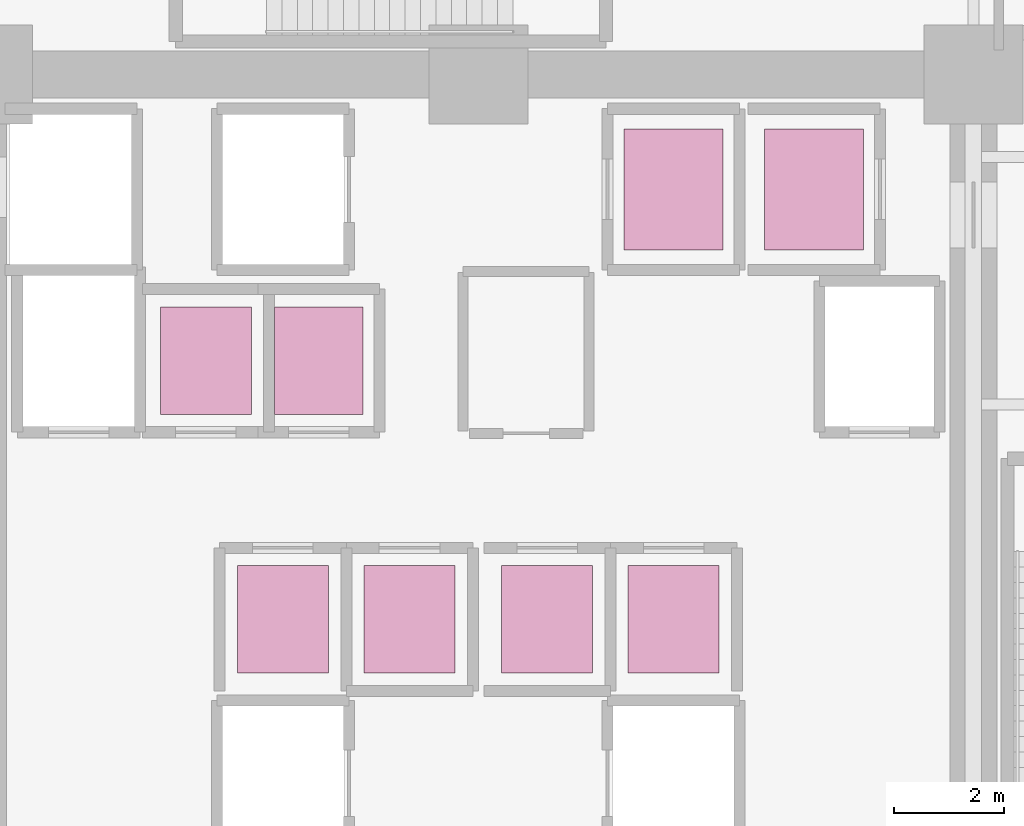
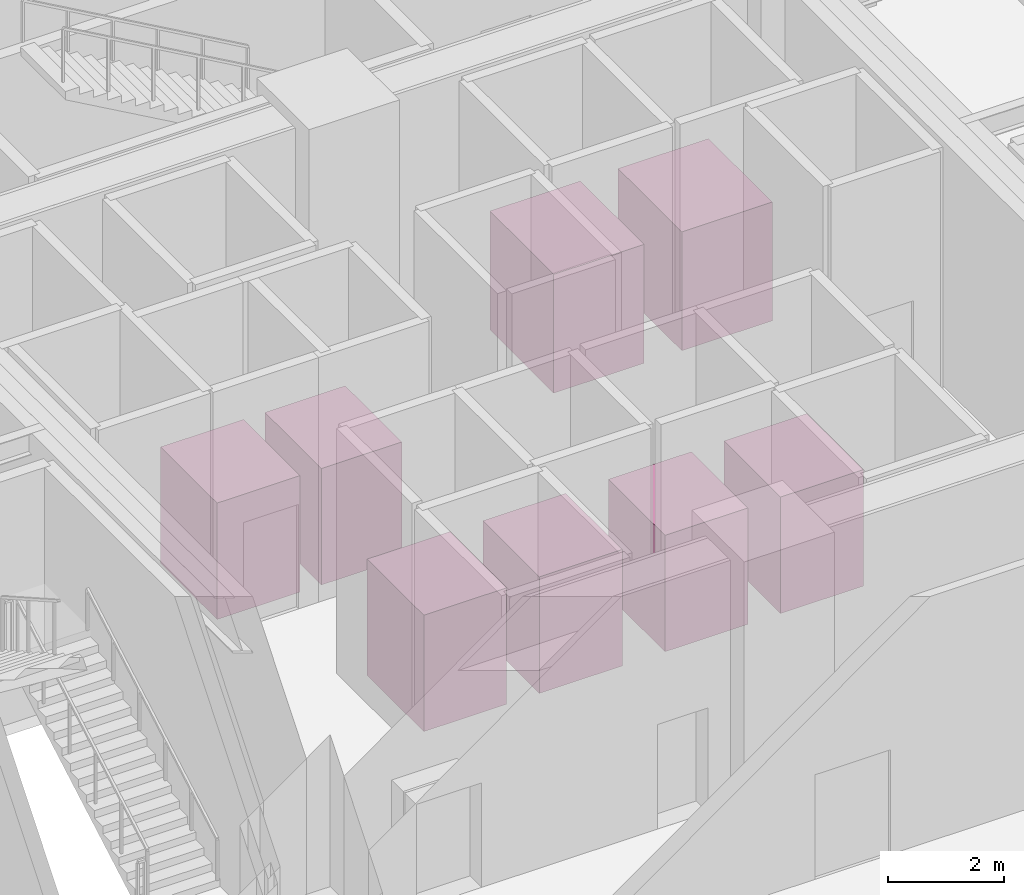
# One storey, part 30 of 30: 8 transport elements.
"""IFC4 building model written with IfcOpenShell, lengths in metres."""

from ifc_helpers import new_model, si_unit, direction, frame, origin, origin_2d, place, context, subcontext, project, spatial, rectangle, extrude, source, transform, mapped, material, type_object, element, save


model = new_model("IFC4")

# Units and contexts
model_context = context("Model", 3, precision=1e-05, world=origin(), true_north=direction((0.0, 1.0)))
body_context = subcontext(model_context, "Body", "Model", "MODEL_VIEW")
ifc_project = project(units=[si_unit("LENGTHUNIT", "METRE"), si_unit("AREAUNIT", "SQUARE_METRE"), si_unit("VOLUMEUNIT", "CUBIC_METRE"), si_unit("PLANEANGLEUNIT", "RADIAN"), si_unit("MASSUNIT", "GRAM", prefix="KILO")], contexts=[model_context])

# Site, building, storey
site_placement = place(None, origin())
site = spatial("IfcSite", under=ifc_project, at=site_placement, CompositionType="ELEMENT")
building_placement = place(site_placement, origin())
building = spatial("IfcBuilding", under=site, at=building_placement, Name="Liaohun Quay Tower", CompositionType="ELEMENT")
storey_placement = place(building_placement, origin())
storey = spatial("IfcBuildingStorey", under=building, at=storey_placement, Name="L01", CompositionType="ELEMENT", Elevation=0.0)

# Transport elements
ifc_material_1 = material(Name="Glazed stainless steel shuttle car", Category="steel")
transport_element_type_1 = type_object("IfcTransportElementType", Name="LFT-OBS-1800", PredefinedType="ELEVATOR", material=ifc_material_1)
shared_shape_1 = source(origin(), body_context, "Body", "SweptSolid", [
    extrude(rectangle(XDim=1.800048828125, YDim=2.199951171875, at=origin_2d()), origin(), (0.0, 0.0, 1.0), 2.5),
])
for number, where, z_axis, x_axis, name in (
    (1, (63.550048828125, 59.4150390625, 0.0), (0.0, 0.0, 1.0), (1.0, 0.0, 0.0), "Passenger Lift OB-01"),
    (2, (66.10009765625, 59.4150390625, 0.0), (0.0, 0.0, 1.0), (1.0, 0.0, 0.0), "Passenger Lift OB-02"),
):
    element("IfcTransportElement", number, at=place(storey_placement, frame(where, z_axis=z_axis, x_axis=x_axis)), inside=storey, type_object=transport_element_type_1, Name=name, PredefinedType="ELEVATOR", context=body_context, shape_type="MappedRepresentation", body=[
        mapped(shared_shape_1, transform((0.0, 0.0, 0.0), x_axis=(1.0, 0.0, 0.0), y_axis=(0.0, 1.0, 0.0), z_axis=(0.0, 0.0, 1.0), scale=1.0)),
    ])
ifc_material_2 = material(Name="Brushed stainless steel passenger car", Category="steel")
transport_element_type_2 = type_object("IfcTransportElementType", Name="LFT-PAS-1600", PredefinedType="ELEVATOR", material=ifc_material_2)
shared_shape_2 = source(origin(), body_context, "Body", "SweptSolid", [
    extrude(rectangle(XDim=1.64990234375, YDim=1.949951171875, at=origin_2d()), origin(), (0.0, 0.0, 1.0), 2.449951171875),
])
for number, where, z_axis, x_axis, name in (
    (3, (56.449951171875, 51.60009765625, 0.0), (0.0, 0.0, 1.0), (1.0, 0.0, 0.0), "Passenger Lift PL-1A"),
    (4, (58.75, 51.60009765625, 0.0), (0.0, 0.0, 1.0), (1.0, 0.0, 0.0), "Passenger Lift PL-1B"),
    (5, (61.25, 51.60009765625, 0.0), (0.0, 0.0, 1.0), (1.0, 0.0, 0.0), "Passenger Lift PL-1C"),
    (6, (63.550048828125, 51.60009765625, 0.0), (0.0, 0.0, 1.0), (1.0, 0.0, 0.0), "Passenger Lift PL-2A"),
    (7, (55.050048828125, 56.300048828125, 0.0), (0.0, 0.0, 1.0), (1.0, 0.0, 0.0), "Passenger Lift PL-2B"),
):
    element("IfcTransportElement", number, at=place(storey_placement, frame(where, z_axis=z_axis, x_axis=x_axis)), inside=storey, type_object=transport_element_type_2, Name=name, PredefinedType="ELEVATOR", context=body_context, shape_type="MappedRepresentation", body=[
        mapped(shared_shape_2, transform((0.0, 0.0, 0.0), x_axis=(1.0, 0.0, 0.0), y_axis=(0.0, 1.0, 0.0), z_axis=(0.0, 0.0, 1.0), scale=1.0)),
    ])
shared_shape_3 = source(origin(), body_context, "Body", "SweptSolid", [
    extrude(rectangle(XDim=1.60009765625, YDim=1.949951171875, at=origin_2d()), origin(), (0.0, 0.0, 1.0), 2.449951171875),
])
transport_element_placement = place(storey_placement, frame((57.10009765625, 56.300048828125, 0.0), z_axis=(0.0, 0.0, 1.0), x_axis=(1.0, 0.0, 0.0)))
element("IfcTransportElement", 8, at=transport_element_placement, inside=storey, type_object=transport_element_type_2, Name="Passenger Lift PL-2C", PredefinedType="ELEVATOR", context=body_context, shape_type="MappedRepresentation", body=[
    mapped(shared_shape_3, transform((0.0, 0.0, 0.0), x_axis=(1.0, 0.0, 0.0), y_axis=(0.0, 1.0, 0.0), z_axis=(0.0, 0.0, 1.0), scale=1.0)),
])

save(model, "model.ifc")
